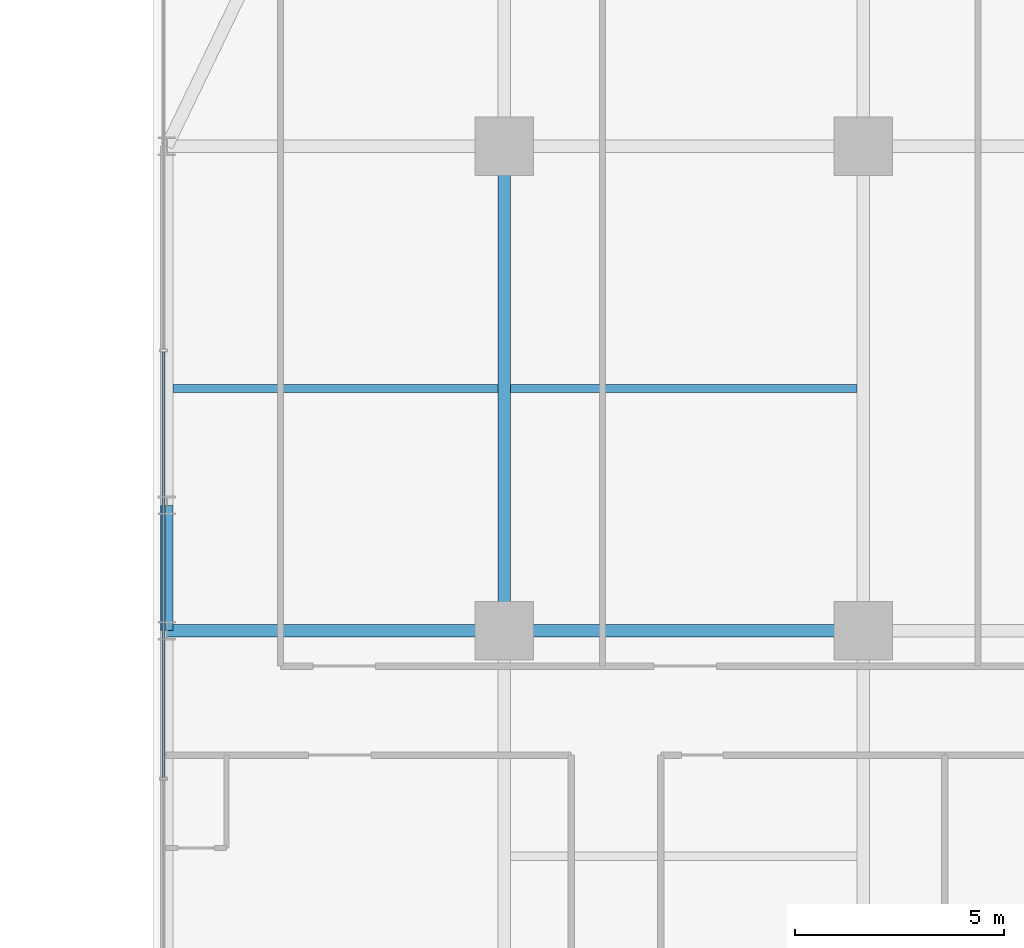
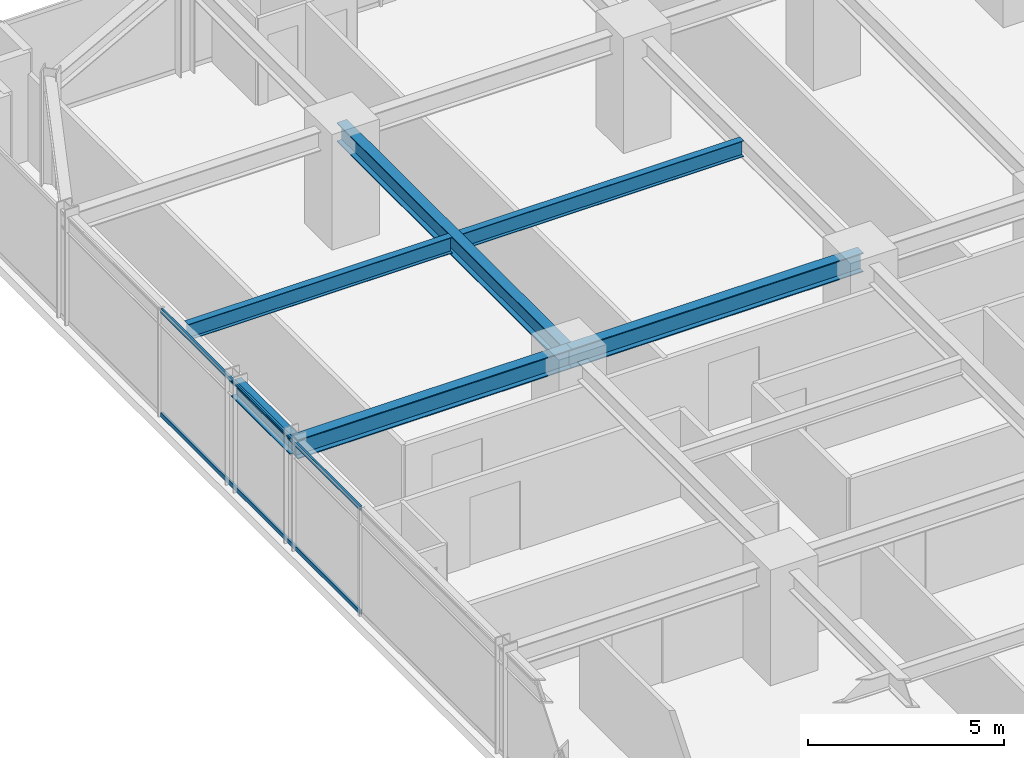
# One storey, part 18 of 37: 6 beams, 2 members, 1 element without a shape of its own.
"""IFC4 building model written with IfcOpenShell, lengths in metres."""

from ifc_helpers import new_model, si_unit, direction, frame, origin, origin_2d, place, context, subcontext, project, spatial, hollow_rectangle, i_section, extrude, source, transform, mapped, material, material_profile, profile_set, type_object, element, aggregate, save


model = new_model("IFC4")

# Units and contexts
model_context = context("Model", 3, precision=1e-05, world=origin(), true_north=direction((0.0, 1.0)))
body_context = subcontext(model_context, "Body", "Model", "MODEL_VIEW")
ifc_project = project(units=[si_unit("LENGTHUNIT", "METRE"), si_unit("AREAUNIT", "SQUARE_METRE"), si_unit("VOLUMEUNIT", "CUBIC_METRE"), si_unit("PLANEANGLEUNIT", "RADIAN"), si_unit("MASSUNIT", "GRAM", prefix="KILO")], contexts=[model_context])

# Site, building, storey
site_placement = place(None, origin())
site = spatial("IfcSite", under=ifc_project, at=site_placement, CompositionType="ELEMENT")
building_placement = place(site_placement, origin())
building = spatial("IfcBuilding", under=site, at=building_placement, Name="Nahalor Promenade Grand Hotel", CompositionType="ELEMENT")
storey_placement = place(building_placement, frame((0.0, 0.0, 36.050048828125)))
storey = spatial("IfcBuildingStorey", under=building, at=storey_placement, Name="L07", CompositionType="ELEMENT", Elevation=36.050048828125)

# Beams
ifc_material_1 = material(Name="Steel S355JR", Category="steel")
ifc_material_profile_1 = material_profile(ifc_material_1, i_section(OverallWidth=0.3, OverallDepth=0.6, WebThickness=0.0155, FlangeThickness=0.03, at=origin_2d()), Name="HEB 600")
ifc_profile_set_1 = profile_set([ifc_material_profile_1], Name="Steel S355JR")
beam_type_1 = type_object("IfcBeamType", Name="Beam-Girder-HEB600", PredefinedType="BEAM", material=ifc_profile_set_1)
shared_shape_1 = source(origin(), body_context, "Body", "SweptSolid", [
    extrude(i_section(OverallWidth=0.3, OverallDepth=0.6, WebThickness=0.0155, FlangeThickness=0.03, at=origin_2d()), origin(), (0.0, 0.0, 1.0), 8.60009765625),
])
beam_1_placement = place(storey_placement, frame((-17.0, 5.39990234375, 3.070068359375), z_axis=(1.0, 0.0, 0.0), x_axis=(0.0, 1.0, 0.0)))
element("IfcBeam", 1, at=beam_1_placement, inside=storey, type_object=beam_type_1, Name="BM-L07-GX-2-1", PredefinedType="BEAM", context=body_context, shape_type="MappedRepresentation", body=[
    mapped(shared_shape_1, transform((0.0, 0.0, 0.0), scale=1.0)),
])
shared_shape_2 = source(origin(), body_context, "Body", "SweptSolid", [
    extrude(i_section(OverallWidth=0.3, OverallDepth=0.6, WebThickness=0.0155, FlangeThickness=0.03, at=origin_2d()), origin(), (0.0, 0.0, 1.0), 11.60009765625),
])
beam_2_placement = place(storey_placement, frame((-17.0, 5.39990234375, 3.070068359375), z_axis=(0.0, 1.0, 0.0), x_axis=(-1.0, 0.0, 0.0)))
element("IfcBeam", 2, at=beam_2_placement, inside=storey, type_object=beam_type_1, Name="BM-L07-GY-0-3", PredefinedType="BEAM", context=body_context, shape_type="MappedRepresentation", body=[
    mapped(shared_shape_2, transform((0.0, 0.0, 0.0), scale=1.0)),
])
ifc_material_profile_2 = material_profile(ifc_material_1, i_section(OverallWidth=0.3, OverallDepth=0.5, WebThickness=0.0145, FlangeThickness=0.028, at=origin_2d()), Name="HEB 500")
ifc_profile_set_2 = profile_set([ifc_material_profile_2], Name="Steel S355JR")
beam_type_2 = type_object("IfcBeamType", Name="Beam-Spandrel-HEB500", PredefinedType="SPANDREL", material=ifc_profile_set_2)
shared_shape_3 = source(origin(), body_context, "Body", "SweptSolid", [
    extrude(i_section(OverallWidth=0.3, OverallDepth=0.5, WebThickness=0.0145, FlangeThickness=0.028, at=origin_2d()), origin(), (0.0, 0.0, 1.0), 3.0),
])
beam_3_placement = place(storey_placement, frame((-25.080078125, 5.39990234375, 3.119873046875), z_axis=(0.0, 1.0, 0.0), x_axis=(-1.0, 0.0, 0.0)))
element("IfcBeam", 3, at=beam_3_placement, inside=storey, type_object=beam_type_2, Name="BM-L07-SP-W-3", PredefinedType="SPANDREL", context=body_context, shape_type="MappedRepresentation", body=[
    mapped(shared_shape_3, transform((0.0, 0.0, 0.0), scale=1.0)),
])
ifc_material_profile_3 = material_profile(ifc_material_1, i_section(OverallWidth=0.2, OverallDepth=0.5, WebThickness=0.0102, FlangeThickness=0.016, at=origin_2d()), Name="IPE 500")
ifc_profile_set_3 = profile_set([ifc_material_profile_3], Name="Steel S355JR")
beam_type_3 = type_object("IfcBeamType", Name="Beam-Joist-IPE500", PredefinedType="JOIST", material=ifc_profile_set_3)
shared_shape_4 = source(origin(), body_context, "Body", "SweptSolid", [
    extrude(i_section(OverallWidth=0.2, OverallDepth=0.5, WebThickness=0.0102, FlangeThickness=0.016, at=origin_2d()), origin(), (0.0, 0.0, 1.0), 8.300048828125),
])
beam_4_placement = place(storey_placement, frame((-16.85009765625, 11.199951171875, 3.119873046875), z_axis=(1.0, 0.0, 0.0), x_axis=(0.0, 1.0, 0.0)))
element("IfcBeam", 4, at=beam_4_placement, inside=storey, type_object=beam_type_3, Name="BM-L07-JSW-1-1", PredefinedType="JOIST", context=body_context, shape_type="MappedRepresentation", body=[
    mapped(shared_shape_4, transform((0.0, 0.0, 0.0), scale=1.0)),
])
shared_shape_5 = source(origin(), body_context, "Body", "SweptSolid", [
    extrude(i_section(OverallWidth=0.3, OverallDepth=0.6, WebThickness=0.0155, FlangeThickness=0.03, at=origin_2d()), origin(), (0.0, 0.0, 1.0), 8.080078125),
])
beam_5_placement = place(storey_placement, frame((-25.080078125, 5.39990234375, 3.070068359375), z_axis=(1.0, 0.0, 0.0), x_axis=(0.0, 1.0, 0.0)))
element("IfcBeam", 5, at=beam_5_placement, inside=storey, type_object=beam_type_1, Name="BM-L07-GX-2-0", PredefinedType="BEAM", context=body_context, shape_type="MappedRepresentation", body=[
    mapped(shared_shape_5, transform((0.0, 0.0, 0.0), scale=1.0)),
])
shared_shape_6 = source(origin(), body_context, "Body", "SweptSolid", [
    extrude(i_section(OverallWidth=0.2, OverallDepth=0.5, WebThickness=0.0102, FlangeThickness=0.016, at=origin_2d()), origin(), (0.0, 0.0, 1.0), 7.780029296875),
])
beam_6_placement = place(storey_placement, frame((-24.929931640625, 11.199951171875, 3.119873046875), z_axis=(1.0, 0.0, 0.0), x_axis=(0.0, 1.0, 0.0)))
element("IfcBeam", 6, at=beam_6_placement, inside=storey, type_object=beam_type_3, Name="BM-L07-JSW-1-0", PredefinedType="JOIST", context=body_context, shape_type="MappedRepresentation", body=[
    mapped(shared_shape_6, transform((0.0, 0.0, 0.0), scale=1.0)),
])

# Curtain wall, members
ifc_material_2 = material(Name="Anodised Bronze Aluminium EN AW-6063 T6", Category="aluminium")
curtain_wall_type = type_object("IfcCurtainWallType", Name="CW2 Typical Hotel Flush Bronze Unitised Curtain Wall", PredefinedType="USERDEFINED", material=ifc_material_2)
curtain_wall_placement = place(storey_placement, origin())
curtain_wall = element("IfcCurtainWall", 7, at=curtain_wall_placement, inside=storey, type_object=curtain_wall_type, Name="L07 Curtain Wall CW-L07-W-3", ObjectType="UNITISED_CURTAIN_WALL", PredefinedType="USERDEFINED")
ifc_material_profile_4 = material_profile(ifc_material_2, hollow_rectangle(XDim=0.065, YDim=0.13, WallThickness=0.004, at=origin_2d()), Name="CWT 65x130x4")
ifc_profile_set_4 = profile_set([ifc_material_profile_4], Name="Anodised Bronze Aluminium EN AW-6063 T6")
member_type = type_object("IfcMemberType", Name="CWT2 Typical Bronze Transom 65x130", PredefinedType="USERDEFINED", material=ifc_profile_set_4)
shared_shape_7 = source(origin(), body_context, "Body", "SweptSolid", [
    extrude(hollow_rectangle(XDim=0.065, YDim=0.13, WallThickness=0.004, at=origin_2d()), origin(), (0.0, 0.0, 1.0), 10.1884765625),
])
member_1_placement = place(storey_placement, frame((-25.159912109375, 1.8857421875, 0.06494140625), z_axis=(0.0, 1.0, 0.0), x_axis=(-1.0, 0.0, 0.0)))
member_1 = element("IfcMember", 8, at=member_1_placement, type_object=member_type, Name="CW-L07-W-3 Transom 1-0", ObjectType="TRANSOM", PredefinedType="USERDEFINED", context=body_context, shape_type="MappedRepresentation", body=[
    mapped(shared_shape_7, transform((0.0, 0.0, 0.0), scale=1.0)),
])
member_2_placement = place(storey_placement, frame((-25.159912109375, 1.8857421875, 3.304931640625), z_axis=(0.0, 1.0, 0.0), x_axis=(-1.0, 0.0, 0.0)))
member_2 = element("IfcMember", 9, at=member_2_placement, type_object=member_type, Name="CW-L07-W-3 Transom 1-1", ObjectType="TRANSOM", PredefinedType="USERDEFINED", context=body_context, shape_type="MappedRepresentation", body=[
    mapped(shared_shape_7, transform((0.0, 0.0, 0.0), scale=1.0)),
])
aggregate(curtain_wall, [member_1, member_2])

save(model, "model.ifc")
